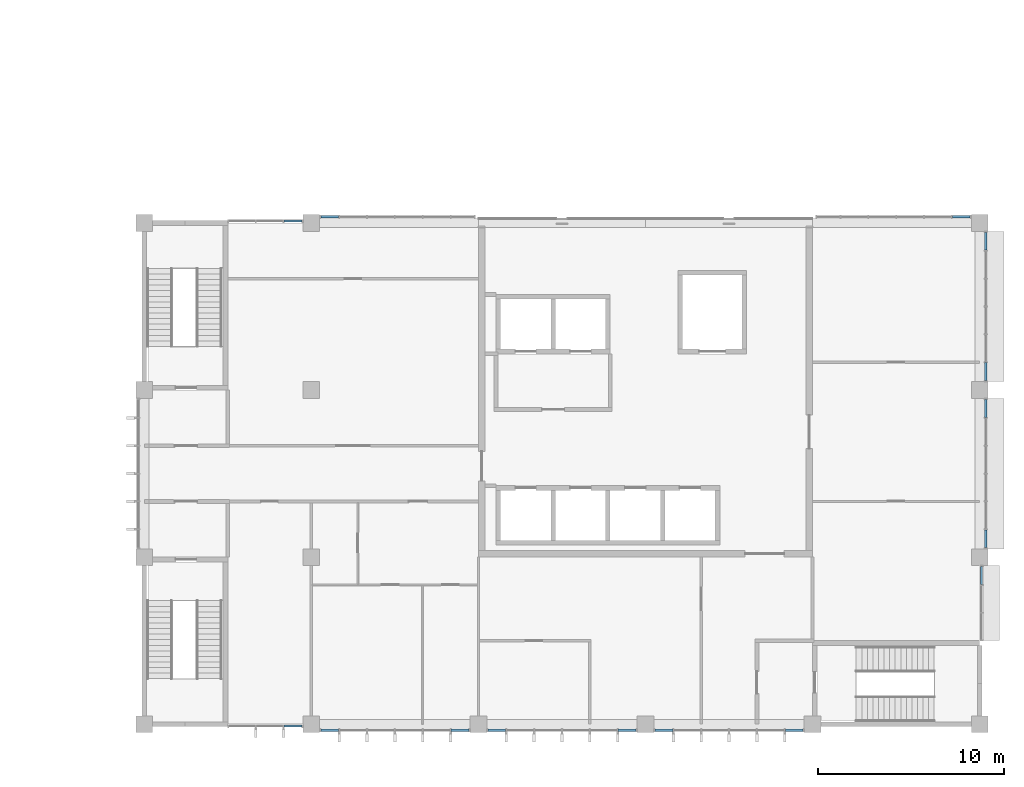
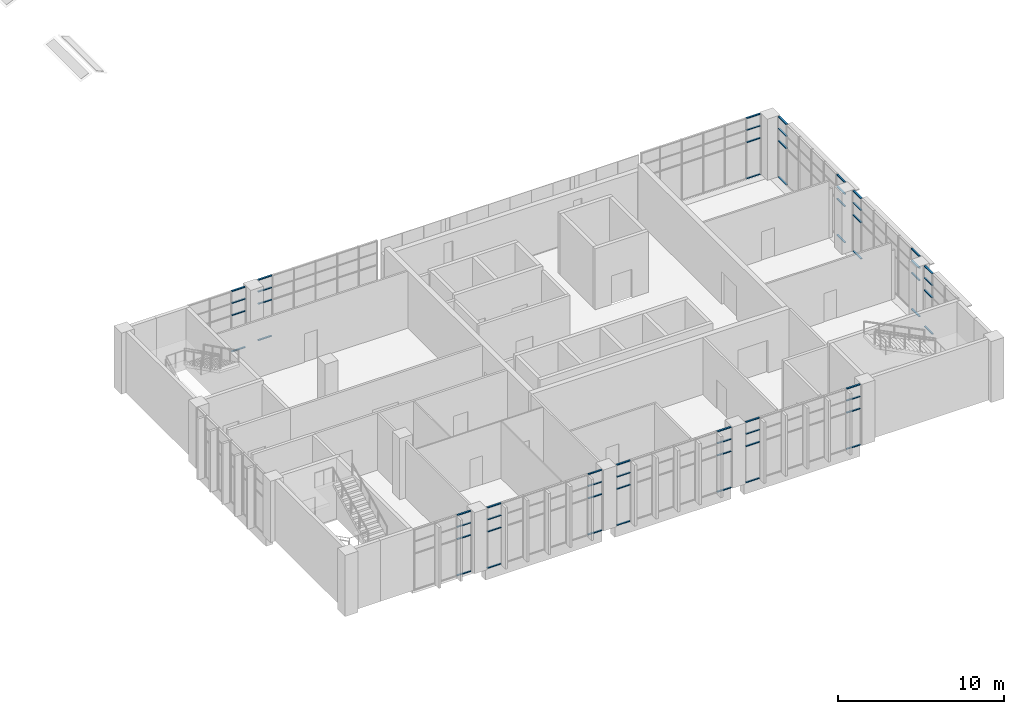
# One storey, part 40 of 79: 60 members, 10 elements without a shape of their own.
"""IFC4 building model written with IfcOpenShell, lengths in metres."""

from ifc_helpers import new_model, si_unit, direction, frame, origin, origin_2d, place, context, subcontext, project, spatial, rectangle, extrude, material, layer, layer_set, material_profile, profile_set, type_object, element, aggregate, save


model = new_model("IFC4")

# Units and contexts
model_context = context("Model", 3, precision=1e-05, world=origin(), true_north=direction((0.0, 1.0)))
body_context = subcontext(model_context, "Body", "Model", "MODEL_VIEW")
ifc_project = project(units=[si_unit("LENGTHUNIT", "METRE"), si_unit("AREAUNIT", "SQUARE_METRE"), si_unit("VOLUMEUNIT", "CUBIC_METRE"), si_unit("PLANEANGLEUNIT", "RADIAN"), si_unit("MASSUNIT", "GRAM", prefix="KILO")], contexts=[model_context])

# Site, building, storey
site_placement = place(None, origin())
site = spatial("IfcSite", under=ifc_project, at=site_placement, CompositionType="ELEMENT")
building_placement = place(site_placement, origin())
building = spatial("IfcBuilding", under=site, at=building_placement, Name="Guidao Yard Department Store", CompositionType="ELEMENT")
storey_placement = place(building_placement, frame((0.0, 0.0, 15.0)))
storey = spatial("IfcBuildingStorey", under=building, at=storey_placement, Name="L03", CompositionType="ELEMENT", Elevation=15.0)

# Curtain wall, members
ifc_material_1 = material(Name="Aluminium and glass", Category="aluminium")
ifc_layer = layer(ifc_material_1, 0.159912109375)
ifc_layer_set = layer_set([ifc_layer], Name="Unitised curtain wall CW4 1500 module")
curtain_wall_type = type_object("IfcCurtainWallType", Name="Unitised curtain wall CW4 1500 module", PredefinedType="NOTDEFINED", material=ifc_layer_set)
curtain_wall_1_placement = place(storey_placement, origin())
curtain_wall_1 = element("IfcCurtainWall", 1, at=curtain_wall_1_placement, inside=storey, type_object=curtain_wall_type, Name="Unitised curtain wall", PredefinedType="NOTDEFINED")
ifc_material_2 = material(Name="Aluminium 6063-T5", Category="aluminium")
ifc_material_profile = material_profile(ifc_material_2, rectangle(XDim=0.1201171875, YDim=0.06005859375, at=origin_2d()), Name="Transom T1 60 x 120 aluminium pressure plate")
ifc_profile_set = profile_set([ifc_material_profile], Name="Aluminium 6063-T5")
member_type = type_object("IfcMemberType", Name="Transom T1 60 x 120 aluminium pressure plate", PredefinedType="USERDEFINED", material=ifc_profile_set)
member_1_placement = place(storey_placement, frame((134.489990234375, -0.10009765625, 0.030029296875), z_axis=(-1.0, 0.0, 0.0), x_axis=(0.0, -1.0, 0.0)))
member_1 = element("IfcMember", 2, at=member_1_placement, type_object=member_type, Name="CW-OW-L03-01 transom 3.1", ObjectType="TRANSOM", PredefinedType="USERDEFINED", context=body_context, shape_type="SweptSolid", body=[
    extrude(rectangle(XDim=0.1201171875, YDim=0.06005859375, at=origin_2d()), origin(), (0.0, 0.0, 1.0), 0.9599609375),
])
member_2_placement = place(storey_placement, frame((134.489990234375, -0.10009765625, 2.699951171875), z_axis=(-1.0, 0.0, 0.0), x_axis=(0.0, -1.0, 0.0)))
member_2 = element("IfcMember", 3, at=member_2_placement, type_object=member_type, Name="CW-OW-L03-01 transom 3.2", ObjectType="TRANSOM", PredefinedType="USERDEFINED", context=body_context, shape_type="SweptSolid", body=[
    extrude(rectangle(XDim=0.1201171875, YDim=0.06005859375, at=origin_2d()), origin(), (0.0, 0.0, 1.0), 0.9599609375),
])
member_3_placement = place(storey_placement, frame((134.489990234375, -0.10009765625, 3.60009765625), z_axis=(-1.0, 0.0, 0.0), x_axis=(0.0, -1.0, 0.0)))
member_3 = element("IfcMember", 4, at=member_3_placement, type_object=member_type, Name="CW-OW-L03-01 transom 3.3", ObjectType="TRANSOM", PredefinedType="USERDEFINED", context=body_context, shape_type="SweptSolid", body=[
    extrude(rectangle(XDim=0.1201171875, YDim=0.06005859375, at=origin_2d()), origin(), (0.0, 0.0, 1.0), 0.9599609375),
])
member_4_placement = place(storey_placement, frame((134.489990234375, -0.10009765625, 4.469970703125), z_axis=(-1.0, 0.0, 0.0), x_axis=(0.0, -1.0, 0.0)))
member_4 = element("IfcMember", 5, at=member_4_placement, type_object=member_type, Name="CW-OW-L03-01 transom 3.4", ObjectType="TRANSOM", PredefinedType="USERDEFINED", context=body_context, shape_type="SweptSolid", body=[
    extrude(rectangle(XDim=0.1201171875, YDim=0.06005859375, at=origin_2d()), origin(), (0.0, 0.0, 1.0), 0.9599609375),
])
aggregate(curtain_wall_1, [member_1, member_2, member_3, member_4])

curtain_wall_2_placement = place(storey_placement, origin())
curtain_wall_2 = element("IfcCurtainWall", 6, at=curtain_wall_2_placement, inside=storey, type_object=curtain_wall_type, Name="Unitised curtain wall", PredefinedType="NOTDEFINED")
member_5_placement = place(storey_placement, frame((136.469970703125, -0.330078125, 0.030029296875), z_axis=(-1.0, 0.0, 0.0), x_axis=(0.0, -1.0, 0.0)))
member_5 = element("IfcMember", 7, at=member_5_placement, type_object=member_type, Name="CW-OW-L03-02 transom 1.1", ObjectType="TRANSOM", PredefinedType="USERDEFINED", context=body_context, shape_type="SweptSolid", body=[
    extrude(rectangle(XDim=0.1201171875, YDim=0.06005859375, at=origin_2d()), origin(), (0.0, 0.0, 1.0), 0.9599609375),
])
member_6_placement = place(storey_placement, frame((136.469970703125, -0.330078125, 2.699951171875), z_axis=(-1.0, 0.0, 0.0), x_axis=(0.0, -1.0, 0.0)))
member_6 = element("IfcMember", 8, at=member_6_placement, type_object=member_type, Name="CW-OW-L03-02 transom 1.2", ObjectType="TRANSOM", PredefinedType="USERDEFINED", context=body_context, shape_type="SweptSolid", body=[
    extrude(rectangle(XDim=0.1201171875, YDim=0.06005859375, at=origin_2d()), origin(), (0.0, 0.0, 1.0), 0.9599609375),
])
member_7_placement = place(storey_placement, frame((136.469970703125, -0.330078125, 3.60009765625), z_axis=(-1.0, 0.0, 0.0), x_axis=(0.0, -1.0, 0.0)))
member_7 = element("IfcMember", 9, at=member_7_placement, type_object=member_type, Name="CW-OW-L03-02 transom 1.3", ObjectType="TRANSOM", PredefinedType="USERDEFINED", context=body_context, shape_type="SweptSolid", body=[
    extrude(rectangle(XDim=0.1201171875, YDim=0.06005859375, at=origin_2d()), origin(), (0.0, 0.0, 1.0), 0.9599609375),
])
member_8_placement = place(storey_placement, frame((136.469970703125, -0.330078125, 4.469970703125), z_axis=(-1.0, 0.0, 0.0), x_axis=(0.0, -1.0, 0.0)))
member_8 = element("IfcMember", 10, at=member_8_placement, type_object=member_type, Name="CW-OW-L03-02 transom 1.4", ObjectType="TRANSOM", PredefinedType="USERDEFINED", context=body_context, shape_type="SweptSolid", body=[
    extrude(rectangle(XDim=0.1201171875, YDim=0.06005859375, at=origin_2d()), origin(), (0.0, 0.0, 1.0), 0.9599609375),
])
member_9_placement = place(storey_placement, frame((143.489990234375, -0.330078125, 0.030029296875), z_axis=(-1.0, 0.0, 0.0), x_axis=(0.0, -1.0, 0.0)))
member_9 = element("IfcMember", 11, at=member_9_placement, type_object=member_type, Name="CW-OW-L03-02 transom 6.1", ObjectType="TRANSOM", PredefinedType="USERDEFINED", context=body_context, shape_type="SweptSolid", body=[
    extrude(rectangle(XDim=0.1201171875, YDim=0.06005859375, at=origin_2d()), origin(), (0.0, 0.0, 1.0), 0.9599609375),
])
member_10_placement = place(storey_placement, frame((143.489990234375, -0.330078125, 2.699951171875), z_axis=(-1.0, 0.0, 0.0), x_axis=(0.0, -1.0, 0.0)))
member_10 = element("IfcMember", 12, at=member_10_placement, type_object=member_type, Name="CW-OW-L03-02 transom 6.2", ObjectType="TRANSOM", PredefinedType="USERDEFINED", context=body_context, shape_type="SweptSolid", body=[
    extrude(rectangle(XDim=0.1201171875, YDim=0.06005859375, at=origin_2d()), origin(), (0.0, 0.0, 1.0), 0.9599609375),
])
member_11_placement = place(storey_placement, frame((143.489990234375, -0.330078125, 3.60009765625), z_axis=(-1.0, 0.0, 0.0), x_axis=(0.0, -1.0, 0.0)))
member_11 = element("IfcMember", 13, at=member_11_placement, type_object=member_type, Name="CW-OW-L03-02 transom 6.3", ObjectType="TRANSOM", PredefinedType="USERDEFINED", context=body_context, shape_type="SweptSolid", body=[
    extrude(rectangle(XDim=0.1201171875, YDim=0.06005859375, at=origin_2d()), origin(), (0.0, 0.0, 1.0), 0.9599609375),
])
member_12_placement = place(storey_placement, frame((143.489990234375, -0.330078125, 4.469970703125), z_axis=(-1.0, 0.0, 0.0), x_axis=(0.0, -1.0, 0.0)))
member_12 = element("IfcMember", 14, at=member_12_placement, type_object=member_type, Name="CW-OW-L03-02 transom 6.4", ObjectType="TRANSOM", PredefinedType="USERDEFINED", context=body_context, shape_type="SweptSolid", body=[
    extrude(rectangle(XDim=0.1201171875, YDim=0.06005859375, at=origin_2d()), origin(), (0.0, 0.0, 1.0), 0.9599609375),
])
aggregate(curtain_wall_2, [member_5, member_6, member_7, member_8, member_9, member_10, member_11, member_12])

curtain_wall_3_placement = place(storey_placement, origin())
curtain_wall_3 = element("IfcCurtainWall", 15, at=curtain_wall_3_placement, inside=storey, type_object=curtain_wall_type, Name="Unitised curtain wall", PredefinedType="NOTDEFINED")
member_13_placement = place(storey_placement, frame((145.469970703125, -0.330078125, 0.030029296875), z_axis=(-1.0, 0.0, 0.0), x_axis=(0.0, -1.0, 0.0)))
member_13 = element("IfcMember", 16, at=member_13_placement, type_object=member_type, Name="CW-OW-L03-03 transom 1.1", ObjectType="TRANSOM", PredefinedType="USERDEFINED", context=body_context, shape_type="SweptSolid", body=[
    extrude(rectangle(XDim=0.1201171875, YDim=0.06005859375, at=origin_2d()), origin(), (0.0, 0.0, 1.0), 0.9599609375),
])
member_14_placement = place(storey_placement, frame((145.469970703125, -0.330078125, 2.699951171875), z_axis=(-1.0, 0.0, 0.0), x_axis=(0.0, -1.0, 0.0)))
member_14 = element("IfcMember", 17, at=member_14_placement, type_object=member_type, Name="CW-OW-L03-03 transom 1.2", ObjectType="TRANSOM", PredefinedType="USERDEFINED", context=body_context, shape_type="SweptSolid", body=[
    extrude(rectangle(XDim=0.1201171875, YDim=0.06005859375, at=origin_2d()), origin(), (0.0, 0.0, 1.0), 0.9599609375),
])
member_15_placement = place(storey_placement, frame((145.469970703125, -0.330078125, 3.60009765625), z_axis=(-1.0, 0.0, 0.0), x_axis=(0.0, -1.0, 0.0)))
member_15 = element("IfcMember", 18, at=member_15_placement, type_object=member_type, Name="CW-OW-L03-03 transom 1.3", ObjectType="TRANSOM", PredefinedType="USERDEFINED", context=body_context, shape_type="SweptSolid", body=[
    extrude(rectangle(XDim=0.1201171875, YDim=0.06005859375, at=origin_2d()), origin(), (0.0, 0.0, 1.0), 0.9599609375),
])
member_16_placement = place(storey_placement, frame((145.469970703125, -0.330078125, 4.469970703125), z_axis=(-1.0, 0.0, 0.0), x_axis=(0.0, -1.0, 0.0)))
member_16 = element("IfcMember", 19, at=member_16_placement, type_object=member_type, Name="CW-OW-L03-03 transom 1.4", ObjectType="TRANSOM", PredefinedType="USERDEFINED", context=body_context, shape_type="SweptSolid", body=[
    extrude(rectangle(XDim=0.1201171875, YDim=0.06005859375, at=origin_2d()), origin(), (0.0, 0.0, 1.0), 0.9599609375),
])
member_17_placement = place(storey_placement, frame((152.489990234375, -0.330078125, 0.030029296875), z_axis=(-1.0, 0.0, 0.0), x_axis=(0.0, -1.0, 0.0)))
member_17 = element("IfcMember", 20, at=member_17_placement, type_object=member_type, Name="CW-OW-L03-03 transom 6.1", ObjectType="TRANSOM", PredefinedType="USERDEFINED", context=body_context, shape_type="SweptSolid", body=[
    extrude(rectangle(XDim=0.1201171875, YDim=0.06005859375, at=origin_2d()), origin(), (0.0, 0.0, 1.0), 0.9599609375),
])
member_18_placement = place(storey_placement, frame((152.489990234375, -0.330078125, 2.699951171875), z_axis=(-1.0, 0.0, 0.0), x_axis=(0.0, -1.0, 0.0)))
member_18 = element("IfcMember", 21, at=member_18_placement, type_object=member_type, Name="CW-OW-L03-03 transom 6.2", ObjectType="TRANSOM", PredefinedType="USERDEFINED", context=body_context, shape_type="SweptSolid", body=[
    extrude(rectangle(XDim=0.1201171875, YDim=0.06005859375, at=origin_2d()), origin(), (0.0, 0.0, 1.0), 0.9599609375),
])
member_19_placement = place(storey_placement, frame((152.489990234375, -0.330078125, 3.60009765625), z_axis=(-1.0, 0.0, 0.0), x_axis=(0.0, -1.0, 0.0)))
member_19 = element("IfcMember", 22, at=member_19_placement, type_object=member_type, Name="CW-OW-L03-03 transom 6.3", ObjectType="TRANSOM", PredefinedType="USERDEFINED", context=body_context, shape_type="SweptSolid", body=[
    extrude(rectangle(XDim=0.1201171875, YDim=0.06005859375, at=origin_2d()), origin(), (0.0, 0.0, 1.0), 0.9599609375),
])
member_20_placement = place(storey_placement, frame((152.489990234375, -0.330078125, 4.469970703125), z_axis=(-1.0, 0.0, 0.0), x_axis=(0.0, -1.0, 0.0)))
member_20 = element("IfcMember", 23, at=member_20_placement, type_object=member_type, Name="CW-OW-L03-03 transom 6.4", ObjectType="TRANSOM", PredefinedType="USERDEFINED", context=body_context, shape_type="SweptSolid", body=[
    extrude(rectangle(XDim=0.1201171875, YDim=0.06005859375, at=origin_2d()), origin(), (0.0, 0.0, 1.0), 0.9599609375),
])
aggregate(curtain_wall_3, [member_13, member_14, member_15, member_16, member_17, member_18, member_19, member_20])

curtain_wall_4_placement = place(storey_placement, origin())
curtain_wall_4 = element("IfcCurtainWall", 24, at=curtain_wall_4_placement, inside=storey, type_object=curtain_wall_type, Name="Unitised curtain wall", PredefinedType="NOTDEFINED")
member_21_placement = place(storey_placement, frame((154.469970703125, -0.330078125, 0.030029296875), z_axis=(-1.0, 0.0, 0.0), x_axis=(0.0, -1.0, 0.0)))
member_21 = element("IfcMember", 25, at=member_21_placement, type_object=member_type, Name="CW-OW-L03-04 transom 1.1", ObjectType="TRANSOM", PredefinedType="USERDEFINED", context=body_context, shape_type="SweptSolid", body=[
    extrude(rectangle(XDim=0.1201171875, YDim=0.06005859375, at=origin_2d()), origin(), (0.0, 0.0, 1.0), 0.9599609375),
])
member_22_placement = place(storey_placement, frame((154.469970703125, -0.330078125, 2.699951171875), z_axis=(-1.0, 0.0, 0.0), x_axis=(0.0, -1.0, 0.0)))
member_22 = element("IfcMember", 26, at=member_22_placement, type_object=member_type, Name="CW-OW-L03-04 transom 1.2", ObjectType="TRANSOM", PredefinedType="USERDEFINED", context=body_context, shape_type="SweptSolid", body=[
    extrude(rectangle(XDim=0.1201171875, YDim=0.06005859375, at=origin_2d()), origin(), (0.0, 0.0, 1.0), 0.9599609375),
])
member_23_placement = place(storey_placement, frame((154.469970703125, -0.330078125, 3.60009765625), z_axis=(-1.0, 0.0, 0.0), x_axis=(0.0, -1.0, 0.0)))
member_23 = element("IfcMember", 27, at=member_23_placement, type_object=member_type, Name="CW-OW-L03-04 transom 1.3", ObjectType="TRANSOM", PredefinedType="USERDEFINED", context=body_context, shape_type="SweptSolid", body=[
    extrude(rectangle(XDim=0.1201171875, YDim=0.06005859375, at=origin_2d()), origin(), (0.0, 0.0, 1.0), 0.9599609375),
])
member_24_placement = place(storey_placement, frame((154.469970703125, -0.330078125, 4.469970703125), z_axis=(-1.0, 0.0, 0.0), x_axis=(0.0, -1.0, 0.0)))
member_24 = element("IfcMember", 28, at=member_24_placement, type_object=member_type, Name="CW-OW-L03-04 transom 1.4", ObjectType="TRANSOM", PredefinedType="USERDEFINED", context=body_context, shape_type="SweptSolid", body=[
    extrude(rectangle(XDim=0.1201171875, YDim=0.06005859375, at=origin_2d()), origin(), (0.0, 0.0, 1.0), 0.9599609375),
])
member_25_placement = place(storey_placement, frame((161.489990234375, -0.330078125, 0.030029296875), z_axis=(-1.0, 0.0, 0.0), x_axis=(0.0, -1.0, 0.0)))
member_25 = element("IfcMember", 29, at=member_25_placement, type_object=member_type, Name="CW-OW-L03-04 transom 6.1", ObjectType="TRANSOM", PredefinedType="USERDEFINED", context=body_context, shape_type="SweptSolid", body=[
    extrude(rectangle(XDim=0.1201171875, YDim=0.06005859375, at=origin_2d()), origin(), (0.0, 0.0, 1.0), 0.9599609375),
])
member_26_placement = place(storey_placement, frame((161.489990234375, -0.330078125, 2.699951171875), z_axis=(-1.0, 0.0, 0.0), x_axis=(0.0, -1.0, 0.0)))
member_26 = element("IfcMember", 30, at=member_26_placement, type_object=member_type, Name="CW-OW-L03-04 transom 6.2", ObjectType="TRANSOM", PredefinedType="USERDEFINED", context=body_context, shape_type="SweptSolid", body=[
    extrude(rectangle(XDim=0.1201171875, YDim=0.06005859375, at=origin_2d()), origin(), (0.0, 0.0, 1.0), 0.9599609375),
])
member_27_placement = place(storey_placement, frame((161.489990234375, -0.330078125, 3.60009765625), z_axis=(-1.0, 0.0, 0.0), x_axis=(0.0, -1.0, 0.0)))
member_27 = element("IfcMember", 31, at=member_27_placement, type_object=member_type, Name="CW-OW-L03-04 transom 6.3", ObjectType="TRANSOM", PredefinedType="USERDEFINED", context=body_context, shape_type="SweptSolid", body=[
    extrude(rectangle(XDim=0.1201171875, YDim=0.06005859375, at=origin_2d()), origin(), (0.0, 0.0, 1.0), 0.9599609375),
])
member_28_placement = place(storey_placement, frame((161.489990234375, -0.330078125, 4.469970703125), z_axis=(-1.0, 0.0, 0.0), x_axis=(0.0, -1.0, 0.0)))
member_28 = element("IfcMember", 32, at=member_28_placement, type_object=member_type, Name="CW-OW-L03-04 transom 6.4", ObjectType="TRANSOM", PredefinedType="USERDEFINED", context=body_context, shape_type="SweptSolid", body=[
    extrude(rectangle(XDim=0.1201171875, YDim=0.06005859375, at=origin_2d()), origin(), (0.0, 0.0, 1.0), 0.9599609375),
])
aggregate(curtain_wall_4, [member_21, member_22, member_23, member_24, member_25, member_26, member_27, member_28])

curtain_wall_5_placement = place(storey_placement, origin())
curtain_wall_5 = element("IfcCurtainWall", 33, at=curtain_wall_5_placement, inside=storey, type_object=curtain_wall_type, Name="Unitised curtain wall", PredefinedType="NOTDEFINED")
member_29_placement = place(storey_placement, frame((133.530029296875, 27.10009765625, 0.030029296875), z_axis=(1.0, 0.0, 0.0), x_axis=(0.0, 1.0, 0.0)))
member_29 = element("IfcMember", 34, at=member_29_placement, type_object=member_type, Name="CW-OW-L03-06 transom 3.1", ObjectType="TRANSOM", PredefinedType="USERDEFINED", context=body_context, shape_type="SweptSolid", body=[
    extrude(rectangle(XDim=0.1201171875, YDim=0.06005859375, at=origin_2d()), origin(), (0.0, 0.0, 1.0), 0.9599609375),
])
member_30_placement = place(storey_placement, frame((133.530029296875, 27.10009765625, 2.699951171875), z_axis=(1.0, 0.0, 0.0), x_axis=(0.0, 1.0, 0.0)))
member_30 = element("IfcMember", 35, at=member_30_placement, type_object=member_type, Name="CW-OW-L03-06 transom 3.2", ObjectType="TRANSOM", PredefinedType="USERDEFINED", context=body_context, shape_type="SweptSolid", body=[
    extrude(rectangle(XDim=0.1201171875, YDim=0.06005859375, at=origin_2d()), origin(), (0.0, 0.0, 1.0), 0.9599609375),
])
member_31_placement = place(storey_placement, frame((133.530029296875, 27.10009765625, 3.60009765625), z_axis=(1.0, 0.0, 0.0), x_axis=(0.0, 1.0, 0.0)))
member_31 = element("IfcMember", 36, at=member_31_placement, type_object=member_type, Name="CW-OW-L03-06 transom 3.3", ObjectType="TRANSOM", PredefinedType="USERDEFINED", context=body_context, shape_type="SweptSolid", body=[
    extrude(rectangle(XDim=0.1201171875, YDim=0.06005859375, at=origin_2d()), origin(), (0.0, 0.0, 1.0), 0.9599609375),
])
member_32_placement = place(storey_placement, frame((133.530029296875, 27.10009765625, 4.469970703125), z_axis=(1.0, 0.0, 0.0), x_axis=(0.0, 1.0, 0.0)))
member_32 = element("IfcMember", 37, at=member_32_placement, type_object=member_type, Name="CW-OW-L03-06 transom 3.4", ObjectType="TRANSOM", PredefinedType="USERDEFINED", context=body_context, shape_type="SweptSolid", body=[
    extrude(rectangle(XDim=0.1201171875, YDim=0.06005859375, at=origin_2d()), origin(), (0.0, 0.0, 1.0), 0.9599609375),
])
aggregate(curtain_wall_5, [member_29, member_30, member_31, member_32])

curtain_wall_6_placement = place(storey_placement, origin())
curtain_wall_6 = element("IfcCurtainWall", 38, at=curtain_wall_6_placement, inside=storey, type_object=curtain_wall_type, Name="Unitised curtain wall", PredefinedType="NOTDEFINED")
member_33_placement = place(storey_placement, frame((135.510009765625, 27.330078125, 0.030029296875), z_axis=(1.0, 0.0, 0.0), x_axis=(0.0, 1.0, 0.0)))
member_33 = element("IfcMember", 39, at=member_33_placement, type_object=member_type, Name="CW-OW-L03-07 transom 1.1", ObjectType="TRANSOM", PredefinedType="USERDEFINED", context=body_context, shape_type="SweptSolid", body=[
    extrude(rectangle(XDim=0.1201171875, YDim=0.06005859375, at=origin_2d()), origin(), (0.0, 0.0, 1.0), 0.9599609375),
])
member_34_placement = place(storey_placement, frame((135.510009765625, 27.330078125, 2.699951171875), z_axis=(1.0, 0.0, 0.0), x_axis=(0.0, 1.0, 0.0)))
member_34 = element("IfcMember", 40, at=member_34_placement, type_object=member_type, Name="CW-OW-L03-07 transom 1.2", ObjectType="TRANSOM", PredefinedType="USERDEFINED", context=body_context, shape_type="SweptSolid", body=[
    extrude(rectangle(XDim=0.1201171875, YDim=0.06005859375, at=origin_2d()), origin(), (0.0, 0.0, 1.0), 0.9599609375),
])
member_35_placement = place(storey_placement, frame((135.510009765625, 27.330078125, 3.60009765625), z_axis=(1.0, 0.0, 0.0), x_axis=(0.0, 1.0, 0.0)))
member_35 = element("IfcMember", 41, at=member_35_placement, type_object=member_type, Name="CW-OW-L03-07 transom 1.3", ObjectType="TRANSOM", PredefinedType="USERDEFINED", context=body_context, shape_type="SweptSolid", body=[
    extrude(rectangle(XDim=0.1201171875, YDim=0.06005859375, at=origin_2d()), origin(), (0.0, 0.0, 1.0), 0.9599609375),
])
member_36_placement = place(storey_placement, frame((135.510009765625, 27.330078125, 4.469970703125), z_axis=(1.0, 0.0, 0.0), x_axis=(0.0, 1.0, 0.0)))
member_36 = element("IfcMember", 42, at=member_36_placement, type_object=member_type, Name="CW-OW-L03-07 transom 1.4", ObjectType="TRANSOM", PredefinedType="USERDEFINED", context=body_context, shape_type="SweptSolid", body=[
    extrude(rectangle(XDim=0.1201171875, YDim=0.06005859375, at=origin_2d()), origin(), (0.0, 0.0, 1.0), 0.9599609375),
])
aggregate(curtain_wall_6, [member_33, member_34, member_35, member_36])

curtain_wall_7_placement = place(storey_placement, origin())
curtain_wall_7 = element("IfcCurtainWall", 43, at=curtain_wall_7_placement, inside=storey, type_object=curtain_wall_type, Name="Unitised curtain wall", PredefinedType="NOTDEFINED")
member_37_placement = place(storey_placement, frame((169.530029296875, 27.330078125, 0.030029296875), z_axis=(1.0, 0.0, 0.0), x_axis=(0.0, 1.0, 0.0)))
member_37 = element("IfcMember", 44, at=member_37_placement, type_object=member_type, Name="CW-OW-L03-08 transom 6.1", ObjectType="TRANSOM", PredefinedType="USERDEFINED", context=body_context, shape_type="SweptSolid", body=[
    extrude(rectangle(XDim=0.1201171875, YDim=0.06005859375, at=origin_2d()), origin(), (0.0, 0.0, 1.0), 0.9599609375),
])
member_38_placement = place(storey_placement, frame((169.530029296875, 27.330078125, 2.699951171875), z_axis=(1.0, 0.0, 0.0), x_axis=(0.0, 1.0, 0.0)))
member_38 = element("IfcMember", 45, at=member_38_placement, type_object=member_type, Name="CW-OW-L03-08 transom 6.2", ObjectType="TRANSOM", PredefinedType="USERDEFINED", context=body_context, shape_type="SweptSolid", body=[
    extrude(rectangle(XDim=0.1201171875, YDim=0.06005859375, at=origin_2d()), origin(), (0.0, 0.0, 1.0), 0.9599609375),
])
member_39_placement = place(storey_placement, frame((169.530029296875, 27.330078125, 3.60009765625), z_axis=(1.0, 0.0, 0.0), x_axis=(0.0, 1.0, 0.0)))
member_39 = element("IfcMember", 46, at=member_39_placement, type_object=member_type, Name="CW-OW-L03-08 transom 6.3", ObjectType="TRANSOM", PredefinedType="USERDEFINED", context=body_context, shape_type="SweptSolid", body=[
    extrude(rectangle(XDim=0.1201171875, YDim=0.06005859375, at=origin_2d()), origin(), (0.0, 0.0, 1.0), 0.9599609375),
])
member_40_placement = place(storey_placement, frame((169.530029296875, 27.330078125, 4.469970703125), z_axis=(1.0, 0.0, 0.0), x_axis=(0.0, 1.0, 0.0)))
member_40 = element("IfcMember", 47, at=member_40_placement, type_object=member_type, Name="CW-OW-L03-08 transom 6.4", ObjectType="TRANSOM", PredefinedType="USERDEFINED", context=body_context, shape_type="SweptSolid", body=[
    extrude(rectangle(XDim=0.1201171875, YDim=0.06005859375, at=origin_2d()), origin(), (0.0, 0.0, 1.0), 0.9599609375),
])
aggregate(curtain_wall_7, [member_37, member_38, member_39, member_40])

curtain_wall_8_placement = place(storey_placement, origin())
curtain_wall_8 = element("IfcCurtainWall", 48, at=curtain_wall_8_placement, inside=storey, type_object=curtain_wall_type, Name="Unitised curtain wall", PredefinedType="NOTDEFINED")
member_41_placement = place(storey_placement, frame((171.10009765625, 8.489990234375, 0.030029296875), z_axis=(0.0, -1.0, 0.0), x_axis=(1.0, 0.0, 0.0)))
member_41 = element("IfcMember", 49, at=member_41_placement, type_object=member_type, Name="CW-OW-L03-09 transom 3.1", ObjectType="TRANSOM", PredefinedType="USERDEFINED", context=body_context, shape_type="SweptSolid", body=[
    extrude(rectangle(XDim=0.1201171875, YDim=0.06005859375, at=origin_2d()), origin(), (0.0, 0.0, 1.0), 0.9599609375),
])
member_42_placement = place(storey_placement, frame((171.10009765625, 8.489990234375, 2.699951171875), z_axis=(0.0, -1.0, 0.0), x_axis=(1.0, 0.0, 0.0)))
member_42 = element("IfcMember", 50, at=member_42_placement, type_object=member_type, Name="CW-OW-L03-09 transom 3.2", ObjectType="TRANSOM", PredefinedType="USERDEFINED", context=body_context, shape_type="SweptSolid", body=[
    extrude(rectangle(XDim=0.1201171875, YDim=0.06005859375, at=origin_2d()), origin(), (0.0, 0.0, 1.0), 0.9599609375),
])
member_43_placement = place(storey_placement, frame((171.10009765625, 8.489990234375, 3.60009765625), z_axis=(0.0, -1.0, 0.0), x_axis=(1.0, 0.0, 0.0)))
member_43 = element("IfcMember", 51, at=member_43_placement, type_object=member_type, Name="CW-OW-L03-09 transom 3.3", ObjectType="TRANSOM", PredefinedType="USERDEFINED", context=body_context, shape_type="SweptSolid", body=[
    extrude(rectangle(XDim=0.1201171875, YDim=0.06005859375, at=origin_2d()), origin(), (0.0, 0.0, 1.0), 0.9599609375),
])
member_44_placement = place(storey_placement, frame((171.10009765625, 8.489990234375, 4.469970703125), z_axis=(0.0, -1.0, 0.0), x_axis=(1.0, 0.0, 0.0)))
member_44 = element("IfcMember", 52, at=member_44_placement, type_object=member_type, Name="CW-OW-L03-09 transom 3.4", ObjectType="TRANSOM", PredefinedType="USERDEFINED", context=body_context, shape_type="SweptSolid", body=[
    extrude(rectangle(XDim=0.1201171875, YDim=0.06005859375, at=origin_2d()), origin(), (0.0, 0.0, 1.0), 0.9599609375),
])
aggregate(curtain_wall_8, [member_41, member_42, member_43, member_44])

curtain_wall_9_placement = place(storey_placement, origin())
curtain_wall_9 = element("IfcCurtainWall", 53, at=curtain_wall_9_placement, inside=storey, type_object=curtain_wall_type, Name="Unitised curtain wall", PredefinedType="NOTDEFINED")
member_45_placement = place(storey_placement, frame((171.330078125, 10.469970703125, 0.030029296875), z_axis=(0.0, -1.0, 0.0), x_axis=(1.0, 0.0, 0.0)))
member_45 = element("IfcMember", 54, at=member_45_placement, type_object=member_type, Name="CW-OW-L03-10 transom 1.1", ObjectType="TRANSOM", PredefinedType="USERDEFINED", context=body_context, shape_type="SweptSolid", body=[
    extrude(rectangle(XDim=0.1201171875, YDim=0.06005859375, at=origin_2d()), origin(), (0.0, 0.0, 1.0), 0.9599609375),
])
member_46_placement = place(storey_placement, frame((171.330078125, 10.469970703125, 2.699951171875), z_axis=(0.0, -1.0, 0.0), x_axis=(1.0, 0.0, 0.0)))
member_46 = element("IfcMember", 55, at=member_46_placement, type_object=member_type, Name="CW-OW-L03-10 transom 1.2", ObjectType="TRANSOM", PredefinedType="USERDEFINED", context=body_context, shape_type="SweptSolid", body=[
    extrude(rectangle(XDim=0.1201171875, YDim=0.06005859375, at=origin_2d()), origin(), (0.0, 0.0, 1.0), 0.9599609375),
])
member_47_placement = place(storey_placement, frame((171.330078125, 10.469970703125, 3.60009765625), z_axis=(0.0, -1.0, 0.0), x_axis=(1.0, 0.0, 0.0)))
member_47 = element("IfcMember", 56, at=member_47_placement, type_object=member_type, Name="CW-OW-L03-10 transom 1.3", ObjectType="TRANSOM", PredefinedType="USERDEFINED", context=body_context, shape_type="SweptSolid", body=[
    extrude(rectangle(XDim=0.1201171875, YDim=0.06005859375, at=origin_2d()), origin(), (0.0, 0.0, 1.0), 0.9599609375),
])
member_48_placement = place(storey_placement, frame((171.330078125, 10.469970703125, 4.469970703125), z_axis=(0.0, -1.0, 0.0), x_axis=(1.0, 0.0, 0.0)))
member_48 = element("IfcMember", 57, at=member_48_placement, type_object=member_type, Name="CW-OW-L03-10 transom 1.4", ObjectType="TRANSOM", PredefinedType="USERDEFINED", context=body_context, shape_type="SweptSolid", body=[
    extrude(rectangle(XDim=0.1201171875, YDim=0.06005859375, at=origin_2d()), origin(), (0.0, 0.0, 1.0), 0.9599609375),
])
member_49_placement = place(storey_placement, frame((171.330078125, 17.489990234375, 0.030029296875), z_axis=(0.0, -1.0, 0.0), x_axis=(1.0, 0.0, 0.0)))
member_49 = element("IfcMember", 58, at=member_49_placement, type_object=member_type, Name="CW-OW-L03-10 transom 6.1", ObjectType="TRANSOM", PredefinedType="USERDEFINED", context=body_context, shape_type="SweptSolid", body=[
    extrude(rectangle(XDim=0.1201171875, YDim=0.06005859375, at=origin_2d()), origin(), (0.0, 0.0, 1.0), 0.9599609375),
])
member_50_placement = place(storey_placement, frame((171.330078125, 17.489990234375, 2.699951171875), z_axis=(0.0, -1.0, 0.0), x_axis=(1.0, 0.0, 0.0)))
member_50 = element("IfcMember", 59, at=member_50_placement, type_object=member_type, Name="CW-OW-L03-10 transom 6.2", ObjectType="TRANSOM", PredefinedType="USERDEFINED", context=body_context, shape_type="SweptSolid", body=[
    extrude(rectangle(XDim=0.1201171875, YDim=0.06005859375, at=origin_2d()), origin(), (0.0, 0.0, 1.0), 0.9599609375),
])
member_51_placement = place(storey_placement, frame((171.330078125, 17.489990234375, 3.60009765625), z_axis=(0.0, -1.0, 0.0), x_axis=(1.0, 0.0, 0.0)))
member_51 = element("IfcMember", 60, at=member_51_placement, type_object=member_type, Name="CW-OW-L03-10 transom 6.3", ObjectType="TRANSOM", PredefinedType="USERDEFINED", context=body_context, shape_type="SweptSolid", body=[
    extrude(rectangle(XDim=0.1201171875, YDim=0.06005859375, at=origin_2d()), origin(), (0.0, 0.0, 1.0), 0.9599609375),
])
member_52_placement = place(storey_placement, frame((171.330078125, 17.489990234375, 4.469970703125), z_axis=(0.0, -1.0, 0.0), x_axis=(1.0, 0.0, 0.0)))
member_52 = element("IfcMember", 61, at=member_52_placement, type_object=member_type, Name="CW-OW-L03-10 transom 6.4", ObjectType="TRANSOM", PredefinedType="USERDEFINED", context=body_context, shape_type="SweptSolid", body=[
    extrude(rectangle(XDim=0.1201171875, YDim=0.06005859375, at=origin_2d()), origin(), (0.0, 0.0, 1.0), 0.9599609375),
])
aggregate(curtain_wall_9, [member_45, member_46, member_47, member_48, member_49, member_50, member_51, member_52])

curtain_wall_10_placement = place(storey_placement, origin())
curtain_wall_10 = element("IfcCurtainWall", 62, at=curtain_wall_10_placement, inside=storey, type_object=curtain_wall_type, Name="Unitised curtain wall", PredefinedType="NOTDEFINED")
member_53_placement = place(storey_placement, frame((171.330078125, 19.469970703125, 0.030029296875), z_axis=(0.0, -1.0, 0.0), x_axis=(1.0, 0.0, 0.0)))
member_53 = element("IfcMember", 63, at=member_53_placement, type_object=member_type, Name="CW-OW-L03-11 transom 1.1", ObjectType="TRANSOM", PredefinedType="USERDEFINED", context=body_context, shape_type="SweptSolid", body=[
    extrude(rectangle(XDim=0.1201171875, YDim=0.06005859375, at=origin_2d()), origin(), (0.0, 0.0, 1.0), 0.9599609375),
])
member_54_placement = place(storey_placement, frame((171.330078125, 19.469970703125, 2.699951171875), z_axis=(0.0, -1.0, 0.0), x_axis=(1.0, 0.0, 0.0)))
member_54 = element("IfcMember", 64, at=member_54_placement, type_object=member_type, Name="CW-OW-L03-11 transom 1.2", ObjectType="TRANSOM", PredefinedType="USERDEFINED", context=body_context, shape_type="SweptSolid", body=[
    extrude(rectangle(XDim=0.1201171875, YDim=0.06005859375, at=origin_2d()), origin(), (0.0, 0.0, 1.0), 0.9599609375),
])
member_55_placement = place(storey_placement, frame((171.330078125, 19.469970703125, 3.60009765625), z_axis=(0.0, -1.0, 0.0), x_axis=(1.0, 0.0, 0.0)))
member_55 = element("IfcMember", 65, at=member_55_placement, type_object=member_type, Name="CW-OW-L03-11 transom 1.3", ObjectType="TRANSOM", PredefinedType="USERDEFINED", context=body_context, shape_type="SweptSolid", body=[
    extrude(rectangle(XDim=0.1201171875, YDim=0.06005859375, at=origin_2d()), origin(), (0.0, 0.0, 1.0), 0.9599609375),
])
member_56_placement = place(storey_placement, frame((171.330078125, 19.469970703125, 4.469970703125), z_axis=(0.0, -1.0, 0.0), x_axis=(1.0, 0.0, 0.0)))
member_56 = element("IfcMember", 66, at=member_56_placement, type_object=member_type, Name="CW-OW-L03-11 transom 1.4", ObjectType="TRANSOM", PredefinedType="USERDEFINED", context=body_context, shape_type="SweptSolid", body=[
    extrude(rectangle(XDim=0.1201171875, YDim=0.06005859375, at=origin_2d()), origin(), (0.0, 0.0, 1.0), 0.9599609375),
])
member_57_placement = place(storey_placement, frame((171.330078125, 26.489990234375, 0.030029296875), z_axis=(0.0, -1.0, 0.0), x_axis=(1.0, 0.0, 0.0)))
member_57 = element("IfcMember", 67, at=member_57_placement, type_object=member_type, Name="CW-OW-L03-11 transom 6.1", ObjectType="TRANSOM", PredefinedType="USERDEFINED", context=body_context, shape_type="SweptSolid", body=[
    extrude(rectangle(XDim=0.1201171875, YDim=0.06005859375, at=origin_2d()), origin(), (0.0, 0.0, 1.0), 0.9599609375),
])
member_58_placement = place(storey_placement, frame((171.330078125, 26.489990234375, 2.699951171875), z_axis=(0.0, -1.0, 0.0), x_axis=(1.0, 0.0, 0.0)))
member_58 = element("IfcMember", 68, at=member_58_placement, type_object=member_type, Name="CW-OW-L03-11 transom 6.2", ObjectType="TRANSOM", PredefinedType="USERDEFINED", context=body_context, shape_type="SweptSolid", body=[
    extrude(rectangle(XDim=0.1201171875, YDim=0.06005859375, at=origin_2d()), origin(), (0.0, 0.0, 1.0), 0.9599609375),
])
member_59_placement = place(storey_placement, frame((171.330078125, 26.489990234375, 3.60009765625), z_axis=(0.0, -1.0, 0.0), x_axis=(1.0, 0.0, 0.0)))
member_59 = element("IfcMember", 69, at=member_59_placement, type_object=member_type, Name="CW-OW-L03-11 transom 6.3", ObjectType="TRANSOM", PredefinedType="USERDEFINED", context=body_context, shape_type="SweptSolid", body=[
    extrude(rectangle(XDim=0.1201171875, YDim=0.06005859375, at=origin_2d()), origin(), (0.0, 0.0, 1.0), 0.9599609375),
])
member_60_placement = place(storey_placement, frame((171.330078125, 26.489990234375, 4.469970703125), z_axis=(0.0, -1.0, 0.0), x_axis=(1.0, 0.0, 0.0)))
member_60 = element("IfcMember", 70, at=member_60_placement, type_object=member_type, Name="CW-OW-L03-11 transom 6.4", ObjectType="TRANSOM", PredefinedType="USERDEFINED", context=body_context, shape_type="SweptSolid", body=[
    extrude(rectangle(XDim=0.1201171875, YDim=0.06005859375, at=origin_2d()), origin(), (0.0, 0.0, 1.0), 0.9599609375),
])
aggregate(curtain_wall_10, [member_53, member_54, member_55, member_56, member_57, member_58, member_59, member_60])

save(model, "model.ifc")
